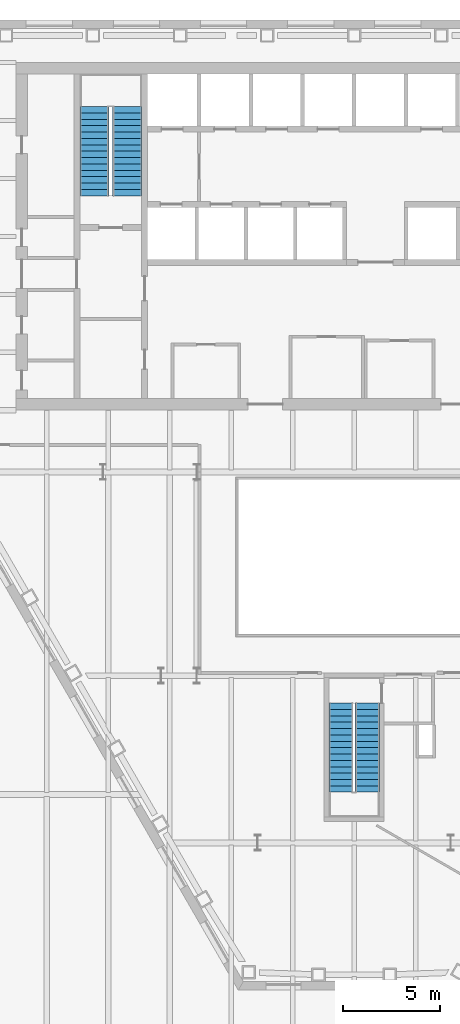
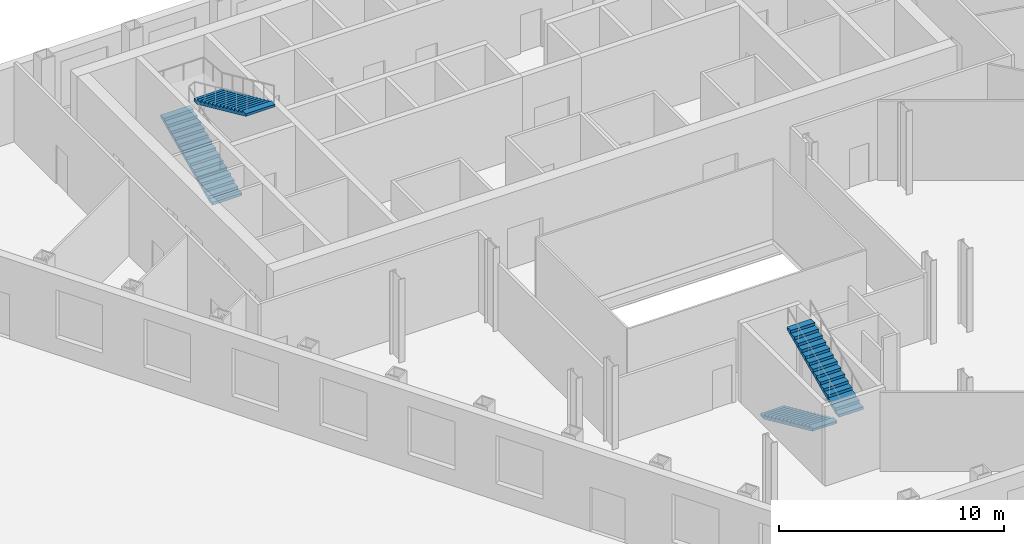
# One storey, part 12 of 14: 4 stair flights, 2 elements without a shape of their own.
"""IFC4 building model written with IfcOpenShell, lengths in metres."""

import ifcopenshell
import ifcopenshell.guid

model = None  # the IFC model being written
_history = None  # IfcOwnerHistory: only IFC2X3 demands one
_inside = {}  # id of a spatial element -> (the spatial element, [elements in it])
_under = {}  # id of a project, library or spatial element -> (it, [spatial elements below it])
_declared = {}  # id of a project -> (the project, [libraries it declares])
_typed = {}  # id of a type object -> (the type object, [elements of that type])
_made_of = {}  # id of a material, layer set ... -> (it, [elements and type objects made of it])


def new_model(schema):
    """Start an empty IFC model of exactly this schema.

    Asked for "IFC4X3", IfcOpenShell would pick the latest addendum, in which some entities
    have other attributes; the version numbers below select the first issue.
    IFC2X3 requires an IfcOwnerHistory on every rooted entity: one is made here for all.
    """
    global model, _history
    if schema == "IFC4X3":
        model = ifcopenshell.file(schema_version=(4, 3, 0, 0))
    else:
        model = ifcopenshell.file(schema=schema)
    _inside.clear()
    _under.clear()
    _declared.clear()
    _typed.clear()
    _made_of.clear()
    _history = None
    if model.schema == "IFC2X3":
        org = make("IfcOrganization", Name="unknown")
        user = make(
            "IfcPersonAndOrganization",
            ThePerson=make("IfcPerson", FamilyName="unknown"),
            TheOrganization=org,
        )
        app = make(
            "IfcApplication",
            ApplicationDeveloper=org,
            Version="unknown",
            ApplicationFullName="unknown",
            ApplicationIdentifier="unknown",
        )
        _history = make(
            "IfcOwnerHistory",
            OwningUser=user,
            OwningApplication=app,
            ChangeAction="ADDED",
            CreationDate=0,
        )
    return model


def make(cls, **values):
    """One entity of the class cls with the attributes given. An attribute that is None is left unset."""
    return model.create_entity(
        cls, **{name: value for name, value in values.items() if value is not None}
    )


def rooted(cls, **values):
    """An entity with a GlobalId (a new one), such as an element, a storey or a relation."""
    return make(cls, GlobalId=ifcopenshell.guid.new(), OwnerHistory=_history, **values)


def si_unit(unit_type, name, prefix=None):
    """IfcSIUnit, for example si_unit("LENGTHUNIT", "METRE", prefix="MILLI")."""
    return make("IfcSIUnit", UnitType=unit_type, Prefix=prefix, Name=name)


def assignment(units):
    """IfcUnitAssignment: the units of a project."""
    return None if units is None else make("IfcUnitAssignment", Units=units)


def point(xyz):
    """IfcCartesianPoint."""
    return None if xyz is None else make("IfcCartesianPoint", Coordinates=xyz)


def direction(xyz):
    """IfcDirection."""
    return None if xyz is None else make("IfcDirection", DirectionRatios=xyz)


def frame(location, z_axis=None, x_axis=None):
    """IfcAxis2Placement3D, a coordinate frame: its origin and axes. An axis left out is left unset."""
    return make(
        "IfcAxis2Placement3D",
        Location=point(location),
        Axis=direction(z_axis),
        RefDirection=direction(x_axis),
    )


def origin():
    """The frame at (0, 0, 0) with its axes left unset."""
    return frame((0.0, 0.0, 0.0))


def place(relative_to, where):
    """IfcLocalPlacement: puts the frame where relative to a parent placement (None: the world)."""
    return make(
        "IfcLocalPlacement", PlacementRelTo=relative_to, RelativePlacement=where
    )


def context(
    kind, dimensions, precision=None, world=None, true_north=None, identifier=None
):
    """IfcGeometricRepresentationContext, for example the 3D "Model" context."""
    return make(
        "IfcGeometricRepresentationContext",
        ContextIdentifier=identifier,
        ContextType=kind,
        CoordinateSpaceDimension=dimensions,
        Precision=precision,
        WorldCoordinateSystem=world,
        TrueNorth=true_north,
    )


def subcontext(parent, identifier, kind, view, scale=None):
    """IfcGeometricRepresentationSubContext, for example "Body" below "Model"."""
    return make(
        "IfcGeometricRepresentationSubContext",
        ContextIdentifier=identifier,
        ContextType=kind,
        ParentContext=parent,
        TargetScale=scale,
        TargetView=view,
    )


def project(units=None, contexts=None):
    """IfcProject with its units and contexts."""
    return rooted(
        "IfcProject",
        Name="project",
        RepresentationContexts=contexts,
        UnitsInContext=assignment(units),
    )


def spatial(cls, under=None, at=None, **own):
    """A site, building, storey or space (cls), placed at a placement, below another one or the project."""
    s = rooted(cls, ObjectPlacement=at, **own)
    if under is not None:
        _under.setdefault(under.id(), (under, []))[1].append(s)
    return s


def point_list(points):
    """IfcCartesianPointList2D or 3D."""
    cls = (
        "IfcCartesianPointList2D" if len(points[0]) == 2 else "IfcCartesianPointList3D"
    )
    return make(cls, CoordList=points)


def polygons(points, faces, closed=None, point_numbers=None):
    """IfcPolygonalFaceSet: a face is its outer loop, then its inner loops; points numbered from 1."""
    made = []
    for loops in faces:
        if len(loops) == 1:
            made.append(make("IfcIndexedPolygonalFace", CoordIndex=loops[0]))
        else:
            made.append(
                make(
                    "IfcIndexedPolygonalFaceWithVoids",
                    CoordIndex=loops[0],
                    InnerCoordIndices=loops[1:],
                )
            )
    return make(
        "IfcPolygonalFaceSet",
        Coordinates=point_list(points),
        Closed=closed,
        Faces=made,
        PnIndex=point_numbers,
    )


def shape(context_of_items, identifier, shape_type, items):
    """IfcShapeRepresentation: the items that make up one representation, for example the "Body"."""
    return make(
        "IfcShapeRepresentation",
        ContextOfItems=context_of_items,
        RepresentationIdentifier=identifier,
        RepresentationType=shape_type,
        Items=items,
    )


def material(Name=None, Category=None):
    """IfcMaterial."""
    return make("IfcMaterial", Name=Name, Category=Category)


def made_of(thing, what):
    """Note that an element or type object is made of a material, layer set ...; save() writes the relation."""
    if what is not None:
        _made_of.setdefault(what.id(), (what, []))[1].append(thing)
    return thing


def type_object(cls, material=None, **own):
    """A type object (cls), such as IfcWallType, which elements share."""
    return made_of(rooted(cls, **own), material)


def element(
    cls,
    number,
    at=None,
    inside=None,
    cuts=None,
    type_object=None,
    material=None,
    context=None,
    identifier="Body",
    shape_type=None,
    held_by="IfcProductDefinitionShape",
    body=None,
    shapes=None,
    **own,
):
    """One element of the class cls, such as IfcWall. Its Tag is "e" and its number.

    at: its placement. inside: the storey or other place that contains it. cuts: it is an
    opening in that element (IfcRelVoidsElement). A single representation is given by context,
    identifier, shape_type and body (its items); several are given by shapes. held_by: the class
    of the entity that holds the representations. save() writes the other relations.
    """
    e = rooted(cls, Tag="e%d" % number, ObjectPlacement=at, **own)
    if body is not None:
        shapes = [shape(context, identifier, shape_type, body)]
    if shapes is not None:
        e.Representation = make(held_by, Representations=shapes)
    if inside is not None:
        _inside.setdefault(inside.id(), (inside, []))[1].append(e)
    if cuts is not None:
        rooted(
            "IfcRelVoidsElement", RelatingBuildingElement=cuts, RelatedOpeningElement=e
        )
    if type_object is not None:
        _typed.setdefault(type_object.id(), (type_object, []))[1].append(e)
    return made_of(e, material)


def aggregate(whole, parts):
    """IfcRelAggregates: a whole, such as a stair, and the parts it consists of."""
    return rooted("IfcRelAggregates", RelatingObject=whole, RelatedObjects=parts)


def save(model, path):
    """Write the relations noted so far, then the file.

    IfcRelAggregates (storeys below a building ...), IfcRelContainedInSpatialStructure (elements
    in a storey), IfcRelDefinesByType, IfcRelAssociatesMaterial and IfcRelDeclares: one each for
    every whole, place, type object, material and project.
    """
    for whole, parts in _under.values():
        aggregate(whole, parts)
    for where, things in _inside.values():
        rooted(
            "IfcRelContainedInSpatialStructure",
            RelatedElements=things,
            RelatingStructure=where,
        )
    for kind, things in _typed.values():
        rooted("IfcRelDefinesByType", RelatedObjects=things, RelatingType=kind)
    for what, things in _made_of.values():
        rooted("IfcRelAssociatesMaterial", RelatedObjects=things, RelatingMaterial=what)
    for by, libraries in _declared.values():
        rooted("IfcRelDeclares", RelatingContext=by, RelatedDefinitions=libraries)
    model.write(path)


model = new_model("IFC4")

# Units and contexts
model_context = context("Model", 3, precision=1e-05, world=origin(), true_north=direction((0.0, 1.0)))
body_context = subcontext(model_context, "Body", "Model", "MODEL_VIEW")
ifc_project = project(units=[si_unit("LENGTHUNIT", "METRE"), si_unit("AREAUNIT", "SQUARE_METRE"), si_unit("VOLUMEUNIT", "CUBIC_METRE"), si_unit("PLANEANGLEUNIT", "RADIAN"), si_unit("MASSUNIT", "GRAM", prefix="KILO")], contexts=[model_context])

# Site, building, storey
site_placement = place(None, origin())
site = spatial("IfcSite", under=ifc_project, at=site_placement, CompositionType="ELEMENT")
building_placement = place(site_placement, origin())
building = spatial("IfcBuilding", under=site, at=building_placement, Name="Njiva Tower", CompositionType="ELEMENT")
storey_placement = place(building_placement, frame((0.0, 0.0, 28.8)))
storey = spatial("IfcBuildingStorey", under=building, at=storey_placement, Name="L05", CompositionType="ELEMENT", Elevation=28.8)

# Stair, stair flights
ifc_material = material(Name="Concrete C40/50", Category="concrete")
stair_type_1 = type_object("IfcStairType", Name="ST1 Exit stair 1250", PredefinedType="HALF_TURN_STAIR", material=ifc_material)
stair_1_placement = place(storey_placement, origin())
stair_1 = element("IfcStair", 1, at=stair_1_placement, inside=storey, type_object=stair_type_1, Name="Stair C", PredefinedType="HALF_TURN_STAIR")
stair_flight_type_1 = type_object("IfcStairFlightType", Name="FL1 Stair flight 1250", PredefinedType="STRAIGHT", material=ifc_material)
stair_flight_1_placement = place(storey_placement, frame((-0.675, -15.16, 0.0), z_axis=(0.0, 0.0, 1.0), x_axis=(0.0, -1.0, 0.0)))
stair_flight_1 = element("IfcStairFlight", 2, at=stair_flight_1_placement, type_object=stair_flight_type_1, Name="ST-C flight 1", NumberOfRisers=15, NumberOfTreads=14, PredefinedType="STRAIGHT", RiserHeight=0.15, TreadLength=0.33, context=body_context, shape_type="Tessellation", body=[
    polygons([(0.0, 0.625, 0.0), (0.0, 0.3125, 0.0), (0.0, 0.0, 0.0), (0.0, -0.3125, 0.0), (0.0, -0.625, 0.0), (0.0, 0.625, 0.15), (0.0, 0.3125, 0.15), (0.0, 0.0, 0.15), (0.0, -0.3125, 0.15), (0.0, -0.625, 0.15), (0.33, 0.625, 0.15), (0.33, 0.3125, 0.15), (0.33, 0.0, 0.15), (0.33, -0.3125, 0.15), (0.33, -0.625, 0.15), (0.33, 0.625, 0.3), (0.33, 0.3125, 0.3), (0.33, 0.0, 0.3), (0.33, -0.3125, 0.3), (0.33, -0.625, 0.3), (0.66, 0.625, 0.3), (0.66, 0.3125, 0.3), (0.66, 0.0, 0.3), (0.66, -0.3125, 0.3), (0.66, -0.625, 0.3), (0.66, 0.625, 0.45), (0.66, 0.3125, 0.45), (0.66, 0.0, 0.45), (0.66, -0.3125, 0.45), (0.66, -0.625, 0.45), (0.99, 0.625, 0.45), (0.99, 0.3125, 0.45), (0.99, 0.0, 0.45), (0.99, -0.3125, 0.45), (0.99, -0.625, 0.45), (0.99, 0.625, 0.6), (0.99, 0.3125, 0.6), (0.99, 0.0, 0.6), (0.99, -0.3125, 0.6), (0.99, -0.625, 0.6), (1.32, 0.625, 0.6), (1.32, 0.3125, 0.6), (1.32, 0.0, 0.6), (1.32, -0.3125, 0.6), (1.32, -0.625, 0.6), (1.32, 0.625, 0.75), (1.32, 0.3125, 0.75), (1.32, 0.0, 0.75), (1.32, -0.3125, 0.75), (1.32, -0.625, 0.75), (1.65, 0.625, 0.75), (1.65, 0.3125, 0.75), (1.65, 0.0, 0.75), (1.65, -0.3125, 0.75), (1.65, -0.625, 0.75), (1.65, 0.625, 0.9), (1.65, 0.3125, 0.9), (1.65, 0.0, 0.9), (1.65, -0.3125, 0.9), (1.65, -0.625, 0.9), (1.98, 0.625, 0.9), (1.98, 0.3125, 0.9), (1.98, 0.0, 0.9), (1.98, -0.3125, 0.9), (1.98, -0.625, 0.9), (1.98, 0.625, 1.05), (1.98, 0.3125, 1.05), (1.98, 0.0, 1.05), (1.98, -0.3125, 1.05), (1.98, -0.625, 1.05), (2.31, 0.625, 1.05), (2.31, 0.3125, 1.05), (2.31, 0.0, 1.05), (2.31, -0.3125, 1.05), (2.31, -0.625, 1.05), (2.31, 0.625, 1.2), (2.31, 0.3125, 1.2), (2.31, 0.0, 1.2), (2.31, -0.3125, 1.2), (2.31, -0.625, 1.2), (2.64, 0.625, 1.2), (2.64, 0.3125, 1.2), (2.64, 0.0, 1.2), (2.64, -0.3125, 1.2), (2.64, -0.625, 1.2), (2.64, 0.625, 1.35), (2.64, 0.3125, 1.35), (2.64, 0.0, 1.35), (2.64, -0.3125, 1.35), (2.64, -0.625, 1.35), (2.97, 0.625, 1.35), (2.97, 0.3125, 1.35), (2.97, 0.0, 1.35), (2.97, -0.3125, 1.35), (2.97, -0.625, 1.35), (2.97, 0.625, 1.5), (2.97, 0.3125, 1.5), (2.97, 0.0, 1.5), (2.97, -0.3125, 1.5), (2.97, -0.625, 1.5), (3.3, 0.625, 1.5), (3.3, 0.3125, 1.5), (3.3, 0.0, 1.5), (3.3, -0.3125, 1.5), (3.3, -0.625, 1.5), (3.3, 0.625, 1.65), (3.3, 0.3125, 1.65), (3.3, 0.0, 1.65), (3.3, -0.3125, 1.65), (3.3, -0.625, 1.65), (3.63, 0.625, 1.65), (3.63, 0.3125, 1.65), (3.63, 0.0, 1.65), (3.63, -0.3125, 1.65), (3.63, -0.625, 1.65), (3.63, 0.625, 1.8), (3.63, 0.3125, 1.8), (3.63, 0.0, 1.8), (3.63, -0.3125, 1.8), (3.63, -0.625, 1.8), (3.96, 0.625, 1.8), (3.96, 0.3125, 1.8), (3.96, 0.0, 1.8), (3.96, -0.3125, 1.8), (3.96, -0.625, 1.8), (3.96, 0.625, 1.95), (3.96, 0.3125, 1.95), (3.96, 0.0, 1.95), (3.96, -0.3125, 1.95), (3.96, -0.625, 1.95), (4.29, 0.625, 1.95), (4.29, 0.3125, 1.95), (4.29, 0.0, 1.95), (4.29, -0.3125, 1.95), (4.29, -0.625, 1.95), (4.29, 0.625, 2.1), (4.29, 0.3125, 2.1), (4.29, 0.0, 2.1), (4.29, -0.3125, 2.1), (4.29, -0.625, 2.1), (4.62, 0.625, 2.1), (4.62, 0.3125, 2.1), (4.62, 0.0, 2.1), (4.62, -0.3125, 2.1), (4.62, -0.625, 2.1), (4.62, 0.625, 1.9682), (4.62, 0.3125, 1.9682), (4.62, 0.0, 1.9682), (4.62, -0.3125, 1.9682), (4.62, -0.625, 1.9682), (0.29, 0.625, 0.0), (0.29, 0.3125, 0.0), (0.29, 0.0, 0.0), (0.29, -0.3125, 0.0), (0.29, -0.625, 0.0)], [[[1, 6, 11, 16, 21, 26, 31, 36, 41, 46, 51, 56, 61, 66, 71, 76, 81, 86, 91, 96, 101, 106, 111, 116, 121, 126, 131, 136, 141, 146, 151]], [[155, 150, 145, 140, 135, 130, 125, 120, 115, 110, 105, 100, 95, 90, 85, 80, 75, 70, 65, 60, 55, 50, 45, 40, 35, 30, 25, 20, 15, 10, 5]], [[6, 1, 2, 7]], [[7, 2, 3, 8]], [[8, 3, 4, 9]], [[9, 4, 5, 10]], [[11, 6, 7, 12]], [[12, 7, 8, 13]], [[13, 8, 9, 14]], [[14, 9, 10, 15]], [[16, 11, 12, 17]], [[17, 12, 13, 18]], [[18, 13, 14, 19]], [[19, 14, 15, 20]], [[21, 16, 17, 22]], [[22, 17, 18, 23]], [[23, 18, 19, 24]], [[24, 19, 20, 25]], [[26, 21, 22, 27]], [[27, 22, 23, 28]], [[28, 23, 24, 29]], [[29, 24, 25, 30]], [[31, 26, 27, 32]], [[32, 27, 28, 33]], [[33, 28, 29, 34]], [[34, 29, 30, 35]], [[36, 31, 32, 37]], [[37, 32, 33, 38]], [[38, 33, 34, 39]], [[39, 34, 35, 40]], [[41, 36, 37, 42]], [[42, 37, 38, 43]], [[43, 38, 39, 44]], [[44, 39, 40, 45]], [[46, 41, 42, 47]], [[47, 42, 43, 48]], [[48, 43, 44, 49]], [[49, 44, 45, 50]], [[51, 46, 47, 52]], [[52, 47, 48, 53]], [[53, 48, 49, 54]], [[54, 49, 50, 55]], [[56, 51, 52, 57]], [[57, 52, 53, 58]], [[58, 53, 54, 59]], [[59, 54, 55, 60]], [[61, 56, 57, 62]], [[62, 57, 58, 63]], [[63, 58, 59, 64]], [[64, 59, 60, 65]], [[66, 61, 62, 67]], [[67, 62, 63, 68]], [[68, 63, 64, 69]], [[69, 64, 65, 70]], [[71, 66, 67, 72]], [[72, 67, 68, 73]], [[73, 68, 69, 74]], [[74, 69, 70, 75]], [[76, 71, 72, 77]], [[77, 72, 73, 78]], [[78, 73, 74, 79]], [[79, 74, 75, 80]], [[81, 76, 77, 82]], [[82, 77, 78, 83]], [[83, 78, 79, 84]], [[84, 79, 80, 85]], [[86, 81, 82, 87]], [[87, 82, 83, 88]], [[88, 83, 84, 89]], [[89, 84, 85, 90]], [[91, 86, 87, 92]], [[92, 87, 88, 93]], [[93, 88, 89, 94]], [[94, 89, 90, 95]], [[96, 91, 92, 97]], [[97, 92, 93, 98]], [[98, 93, 94, 99]], [[99, 94, 95, 100]], [[101, 96, 97, 102]], [[102, 97, 98, 103]], [[103, 98, 99, 104]], [[104, 99, 100, 105]], [[106, 101, 102, 107]], [[107, 102, 103, 108]], [[108, 103, 104, 109]], [[109, 104, 105, 110]], [[111, 106, 107, 112]], [[112, 107, 108, 113]], [[113, 108, 109, 114]], [[114, 109, 110, 115]], [[116, 111, 112, 117]], [[117, 112, 113, 118]], [[118, 113, 114, 119]], [[119, 114, 115, 120]], [[121, 116, 117, 122]], [[122, 117, 118, 123]], [[123, 118, 119, 124]], [[124, 119, 120, 125]], [[126, 121, 122, 127]], [[127, 122, 123, 128]], [[128, 123, 124, 129]], [[129, 124, 125, 130]], [[131, 126, 127, 132]], [[132, 127, 128, 133]], [[133, 128, 129, 134]], [[134, 129, 130, 135]], [[136, 131, 132, 137]], [[137, 132, 133, 138]], [[138, 133, 134, 139]], [[139, 134, 135, 140]], [[141, 136, 137, 142]], [[142, 137, 138, 143]], [[143, 138, 139, 144]], [[144, 139, 140, 145]], [[146, 141, 142, 147]], [[147, 142, 143, 148]], [[148, 143, 144, 149]], [[149, 144, 145, 150]], [[151, 146, 147, 152]], [[152, 147, 148, 153]], [[153, 148, 149, 154]], [[154, 149, 150, 155]], [[1, 151, 152, 2]], [[2, 152, 153, 3]], [[3, 153, 154, 4]], [[4, 154, 155, 5]]], closed=True),
])
stair_flight_2_placement = place(storey_placement, frame((0.675, -19.78, 2.25), z_axis=(0.0, 0.0, 1.0), x_axis=(0.0, 1.0, 0.0)))
stair_flight_2 = element("IfcStairFlight", 3, at=stair_flight_2_placement, type_object=stair_flight_type_1, Name="ST-C flight 2", NumberOfRisers=15, NumberOfTreads=14, PredefinedType="STRAIGHT", RiserHeight=0.15, TreadLength=0.33, context=body_context, shape_type="Tessellation", body=[
    polygons([(0.0, 0.625, 0.0), (0.0, 0.3125, 0.0), (0.0, 0.0, 0.0), (0.0, -0.3125, 0.0), (0.0, -0.625, 0.0), (0.0, 0.625, 0.15), (0.0, 0.3125, 0.15), (0.0, 0.0, 0.15), (0.0, -0.3125, 0.15), (0.0, -0.625, 0.15), (0.33, 0.625, 0.15), (0.33, 0.3125, 0.15), (0.33, 0.0, 0.15), (0.33, -0.3125, 0.15), (0.33, -0.625, 0.15), (0.33, 0.625, 0.3), (0.33, 0.3125, 0.3), (0.33, 0.0, 0.3), (0.33, -0.3125, 0.3), (0.33, -0.625, 0.3), (0.66, 0.625, 0.3), (0.66, 0.3125, 0.3), (0.66, 0.0, 0.3), (0.66, -0.3125, 0.3), (0.66, -0.625, 0.3), (0.66, 0.625, 0.45), (0.66, 0.3125, 0.45), (0.66, 0.0, 0.45), (0.66, -0.3125, 0.45), (0.66, -0.625, 0.45), (0.99, 0.625, 0.45), (0.99, 0.3125, 0.45), (0.99, 0.0, 0.45), (0.99, -0.3125, 0.45), (0.99, -0.625, 0.45), (0.99, 0.625, 0.6), (0.99, 0.3125, 0.6), (0.99, 0.0, 0.6), (0.99, -0.3125, 0.6), (0.99, -0.625, 0.6), (1.32, 0.625, 0.6), (1.32, 0.3125, 0.6), (1.32, 0.0, 0.6), (1.32, -0.3125, 0.6), (1.32, -0.625, 0.6), (1.32, 0.625, 0.75), (1.32, 0.3125, 0.75), (1.32, 0.0, 0.75), (1.32, -0.3125, 0.75), (1.32, -0.625, 0.75), (1.65, 0.625, 0.75), (1.65, 0.3125, 0.75), (1.65, 0.0, 0.75), (1.65, -0.3125, 0.75), (1.65, -0.625, 0.75), (1.65, 0.625, 0.9), (1.65, 0.3125, 0.9), (1.65, 0.0, 0.9), (1.65, -0.3125, 0.9), (1.65, -0.625, 0.9), (1.98, 0.625, 0.9), (1.98, 0.3125, 0.9), (1.98, 0.0, 0.9), (1.98, -0.3125, 0.9), (1.98, -0.625, 0.9), (1.98, 0.625, 1.05), (1.98, 0.3125, 1.05), (1.98, 0.0, 1.05), (1.98, -0.3125, 1.05), (1.98, -0.625, 1.05), (2.31, 0.625, 1.05), (2.31, 0.3125, 1.05), (2.31, 0.0, 1.05), (2.31, -0.3125, 1.05), (2.31, -0.625, 1.05), (2.31, 0.625, 1.2), (2.31, 0.3125, 1.2), (2.31, 0.0, 1.2), (2.31, -0.3125, 1.2), (2.31, -0.625, 1.2), (2.64, 0.625, 1.2), (2.64, 0.3125, 1.2), (2.64, 0.0, 1.2), (2.64, -0.3125, 1.2), (2.64, -0.625, 1.2), (2.64, 0.625, 1.35), (2.64, 0.3125, 1.35), (2.64, 0.0, 1.35), (2.64, -0.3125, 1.35), (2.64, -0.625, 1.35), (2.97, 0.625, 1.35), (2.97, 0.3125, 1.35), (2.97, 0.0, 1.35), (2.97, -0.3125, 1.35), (2.97, -0.625, 1.35), (2.97, 0.625, 1.5), (2.97, 0.3125, 1.5), (2.97, 0.0, 1.5), (2.97, -0.3125, 1.5), (2.97, -0.625, 1.5), (3.3, 0.625, 1.5), (3.3, 0.3125, 1.5), (3.3, 0.0, 1.5), (3.3, -0.3125, 1.5), (3.3, -0.625, 1.5), (3.3, 0.625, 1.65), (3.3, 0.3125, 1.65), (3.3, 0.0, 1.65), (3.3, -0.3125, 1.65), (3.3, -0.625, 1.65), (3.63, 0.625, 1.65), (3.63, 0.3125, 1.65), (3.63, 0.0, 1.65), (3.63, -0.3125, 1.65), (3.63, -0.625, 1.65), (3.63, 0.625, 1.8), (3.63, 0.3125, 1.8), (3.63, 0.0, 1.8), (3.63, -0.3125, 1.8), (3.63, -0.625, 1.8), (3.96, 0.625, 1.8), (3.96, 0.3125, 1.8), (3.96, 0.0, 1.8), (3.96, -0.3125, 1.8), (3.96, -0.625, 1.8), (3.96, 0.625, 1.95), (3.96, 0.3125, 1.95), (3.96, 0.0, 1.95), (3.96, -0.3125, 1.95), (3.96, -0.625, 1.95), (4.29, 0.625, 1.95), (4.29, 0.3125, 1.95), (4.29, 0.0, 1.95), (4.29, -0.3125, 1.95), (4.29, -0.625, 1.95), (4.29, 0.625, 2.1), (4.29, 0.3125, 2.1), (4.29, 0.0, 2.1), (4.29, -0.3125, 2.1), (4.29, -0.625, 2.1), (4.62, 0.625, 2.1), (4.62, 0.3125, 2.1), (4.62, 0.0, 2.1), (4.62, -0.3125, 2.1), (4.62, -0.625, 2.1), (4.62, 0.625, 1.9682), (4.62, 0.3125, 1.9682), (4.62, 0.0, 1.9682), (4.62, -0.3125, 1.9682), (4.62, -0.625, 1.9682), (0.29, 0.625, 0.0), (0.29, 0.3125, 0.0), (0.29, 0.0, 0.0), (0.29, -0.3125, 0.0), (0.29, -0.625, 0.0)], [[[1, 6, 11, 16, 21, 26, 31, 36, 41, 46, 51, 56, 61, 66, 71, 76, 81, 86, 91, 96, 101, 106, 111, 116, 121, 126, 131, 136, 141, 146, 151]], [[155, 150, 145, 140, 135, 130, 125, 120, 115, 110, 105, 100, 95, 90, 85, 80, 75, 70, 65, 60, 55, 50, 45, 40, 35, 30, 25, 20, 15, 10, 5]], [[6, 1, 2, 7]], [[7, 2, 3, 8]], [[8, 3, 4, 9]], [[9, 4, 5, 10]], [[11, 6, 7, 12]], [[12, 7, 8, 13]], [[13, 8, 9, 14]], [[14, 9, 10, 15]], [[16, 11, 12, 17]], [[17, 12, 13, 18]], [[18, 13, 14, 19]], [[19, 14, 15, 20]], [[21, 16, 17, 22]], [[22, 17, 18, 23]], [[23, 18, 19, 24]], [[24, 19, 20, 25]], [[26, 21, 22, 27]], [[27, 22, 23, 28]], [[28, 23, 24, 29]], [[29, 24, 25, 30]], [[31, 26, 27, 32]], [[32, 27, 28, 33]], [[33, 28, 29, 34]], [[34, 29, 30, 35]], [[36, 31, 32, 37]], [[37, 32, 33, 38]], [[38, 33, 34, 39]], [[39, 34, 35, 40]], [[41, 36, 37, 42]], [[42, 37, 38, 43]], [[43, 38, 39, 44]], [[44, 39, 40, 45]], [[46, 41, 42, 47]], [[47, 42, 43, 48]], [[48, 43, 44, 49]], [[49, 44, 45, 50]], [[51, 46, 47, 52]], [[52, 47, 48, 53]], [[53, 48, 49, 54]], [[54, 49, 50, 55]], [[56, 51, 52, 57]], [[57, 52, 53, 58]], [[58, 53, 54, 59]], [[59, 54, 55, 60]], [[61, 56, 57, 62]], [[62, 57, 58, 63]], [[63, 58, 59, 64]], [[64, 59, 60, 65]], [[66, 61, 62, 67]], [[67, 62, 63, 68]], [[68, 63, 64, 69]], [[69, 64, 65, 70]], [[71, 66, 67, 72]], [[72, 67, 68, 73]], [[73, 68, 69, 74]], [[74, 69, 70, 75]], [[76, 71, 72, 77]], [[77, 72, 73, 78]], [[78, 73, 74, 79]], [[79, 74, 75, 80]], [[81, 76, 77, 82]], [[82, 77, 78, 83]], [[83, 78, 79, 84]], [[84, 79, 80, 85]], [[86, 81, 82, 87]], [[87, 82, 83, 88]], [[88, 83, 84, 89]], [[89, 84, 85, 90]], [[91, 86, 87, 92]], [[92, 87, 88, 93]], [[93, 88, 89, 94]], [[94, 89, 90, 95]], [[96, 91, 92, 97]], [[97, 92, 93, 98]], [[98, 93, 94, 99]], [[99, 94, 95, 100]], [[101, 96, 97, 102]], [[102, 97, 98, 103]], [[103, 98, 99, 104]], [[104, 99, 100, 105]], [[106, 101, 102, 107]], [[107, 102, 103, 108]], [[108, 103, 104, 109]], [[109, 104, 105, 110]], [[111, 106, 107, 112]], [[112, 107, 108, 113]], [[113, 108, 109, 114]], [[114, 109, 110, 115]], [[116, 111, 112, 117]], [[117, 112, 113, 118]], [[118, 113, 114, 119]], [[119, 114, 115, 120]], [[121, 116, 117, 122]], [[122, 117, 118, 123]], [[123, 118, 119, 124]], [[124, 119, 120, 125]], [[126, 121, 122, 127]], [[127, 122, 123, 128]], [[128, 123, 124, 129]], [[129, 124, 125, 130]], [[131, 126, 127, 132]], [[132, 127, 128, 133]], [[133, 128, 129, 134]], [[134, 129, 130, 135]], [[136, 131, 132, 137]], [[137, 132, 133, 138]], [[138, 133, 134, 139]], [[139, 134, 135, 140]], [[141, 136, 137, 142]], [[142, 137, 138, 143]], [[143, 138, 139, 144]], [[144, 139, 140, 145]], [[146, 141, 142, 147]], [[147, 142, 143, 148]], [[148, 143, 144, 149]], [[149, 144, 145, 150]], [[151, 146, 147, 152]], [[152, 147, 148, 153]], [[153, 148, 149, 154]], [[154, 149, 150, 155]], [[1, 151, 152, 2]], [[2, 152, 153, 3]], [[3, 153, 154, 4]], [[4, 154, 155, 5]]], closed=True),
])
aggregate(stair_1, [stair_flight_1, stair_flight_2])

stair_type_2 = type_object("IfcStairType", Name="ST4 Exit stair 1500", PredefinedType="HALF_TURN_STAIR", material=ifc_material)
stair_2_placement = place(storey_placement, origin())
stair_2 = element("IfcStair", 4, at=stair_2_placement, inside=storey, type_object=stair_type_2, Name="Stair A", PredefinedType="HALF_TURN_STAIR")
stair_flight_type_2 = type_object("IfcStairFlightType", Name="FL4 Stair flight 1500", PredefinedType="STRAIGHT", material=ifc_material)
stair_flight_3_placement = place(storey_placement, frame((-13.45, 11.1, 0.0), z_axis=(0.0, 0.0, 1.0), x_axis=(0.0, 1.0, 0.0)))
stair_flight_3 = element("IfcStairFlight", 5, at=stair_flight_3_placement, type_object=stair_flight_type_2, Name="ST-A flight 1", NumberOfRisers=15, NumberOfTreads=14, PredefinedType="STRAIGHT", RiserHeight=0.15, TreadLength=0.33, context=body_context, shape_type="Tessellation", body=[
    polygons([(0.0, 0.75, 0.0), (0.0, 0.375, 0.0), (0.0, 0.0, 0.0), (0.0, -0.375, 0.0), (0.0, -0.75, 0.0), (0.0, 0.75, 0.15), (0.0, 0.375, 0.15), (0.0, 0.0, 0.15), (0.0, -0.375, 0.15), (0.0, -0.75, 0.15), (0.33, 0.75, 0.15), (0.33, 0.375, 0.15), (0.33, 0.0, 0.15), (0.33, -0.375, 0.15), (0.33, -0.75, 0.15), (0.33, 0.75, 0.3), (0.33, 0.375, 0.3), (0.33, 0.0, 0.3), (0.33, -0.375, 0.3), (0.33, -0.75, 0.3), (0.66, 0.75, 0.3), (0.66, 0.375, 0.3), (0.66, 0.0, 0.3), (0.66, -0.375, 0.3), (0.66, -0.75, 0.3), (0.66, 0.75, 0.45), (0.66, 0.375, 0.45), (0.66, 0.0, 0.45), (0.66, -0.375, 0.45), (0.66, -0.75, 0.45), (0.99, 0.75, 0.45), (0.99, 0.375, 0.45), (0.99, 0.0, 0.45), (0.99, -0.375, 0.45), (0.99, -0.75, 0.45), (0.99, 0.75, 0.6), (0.99, 0.375, 0.6), (0.99, 0.0, 0.6), (0.99, -0.375, 0.6), (0.99, -0.75, 0.6), (1.32, 0.75, 0.6), (1.32, 0.375, 0.6), (1.32, 0.0, 0.6), (1.32, -0.375, 0.6), (1.32, -0.75, 0.6), (1.32, 0.75, 0.75), (1.32, 0.375, 0.75), (1.32, 0.0, 0.75), (1.32, -0.375, 0.75), (1.32, -0.75, 0.75), (1.65, 0.75, 0.75), (1.65, 0.375, 0.75), (1.65, 0.0, 0.75), (1.65, -0.375, 0.75), (1.65, -0.75, 0.75), (1.65, 0.75, 0.9), (1.65, 0.375, 0.9), (1.65, 0.0, 0.9), (1.65, -0.375, 0.9), (1.65, -0.75, 0.9), (1.98, 0.75, 0.9), (1.98, 0.375, 0.9), (1.98, 0.0, 0.9), (1.98, -0.375, 0.9), (1.98, -0.75, 0.9), (1.98, 0.75, 1.05), (1.98, 0.375, 1.05), (1.98, 0.0, 1.05), (1.98, -0.375, 1.05), (1.98, -0.75, 1.05), (2.31, 0.75, 1.05), (2.31, 0.375, 1.05), (2.31, 0.0, 1.05), (2.31, -0.375, 1.05), (2.31, -0.75, 1.05), (2.31, 0.75, 1.2), (2.31, 0.375, 1.2), (2.31, 0.0, 1.2), (2.31, -0.375, 1.2), (2.31, -0.75, 1.2), (2.64, 0.75, 1.2), (2.64, 0.375, 1.2), (2.64, 0.0, 1.2), (2.64, -0.375, 1.2), (2.64, -0.75, 1.2), (2.64, 0.75, 1.35), (2.64, 0.375, 1.35), (2.64, 0.0, 1.35), (2.64, -0.375, 1.35), (2.64, -0.75, 1.35), (2.97, 0.75, 1.35), (2.97, 0.375, 1.35), (2.97, 0.0, 1.35), (2.97, -0.375, 1.35), (2.97, -0.75, 1.35), (2.97, 0.75, 1.5), (2.97, 0.375, 1.5), (2.97, 0.0, 1.5), (2.97, -0.375, 1.5), (2.97, -0.75, 1.5), (3.3, 0.75, 1.5), (3.3, 0.375, 1.5), (3.3, 0.0, 1.5), (3.3, -0.375, 1.5), (3.3, -0.75, 1.5), (3.3, 0.75, 1.65), (3.3, 0.375, 1.65), (3.3, 0.0, 1.65), (3.3, -0.375, 1.65), (3.3, -0.75, 1.65), (3.63, 0.75, 1.65), (3.63, 0.375, 1.65), (3.63, 0.0, 1.65), (3.63, -0.375, 1.65), (3.63, -0.75, 1.65), (3.63, 0.75, 1.8), (3.63, 0.375, 1.8), (3.63, 0.0, 1.8), (3.63, -0.375, 1.8), (3.63, -0.75, 1.8), (3.96, 0.75, 1.8), (3.96, 0.375, 1.8), (3.96, 0.0, 1.8), (3.96, -0.375, 1.8), (3.96, -0.75, 1.8), (3.96, 0.75, 1.95), (3.96, 0.375, 1.95), (3.96, 0.0, 1.95), (3.96, -0.375, 1.95), (3.96, -0.75, 1.95), (4.29, 0.75, 1.95), (4.29, 0.375, 1.95), (4.29, 0.0, 1.95), (4.29, -0.375, 1.95), (4.29, -0.75, 1.95), (4.29, 0.75, 2.1), (4.29, 0.375, 2.1), (4.29, 0.0, 2.1), (4.29, -0.375, 2.1), (4.29, -0.75, 2.1), (4.62, 0.75, 2.1), (4.62, 0.375, 2.1), (4.62, 0.0, 2.1), (4.62, -0.375, 2.1), (4.62, -0.75, 2.1), (4.62, 0.75, 1.9682), (4.62, 0.375, 1.9682), (4.62, 0.0, 1.9682), (4.62, -0.375, 1.9682), (4.62, -0.75, 1.9682), (0.29, 0.75, 0.0), (0.29, 0.375, 0.0), (0.29, 0.0, 0.0), (0.29, -0.375, 0.0), (0.29, -0.75, 0.0)], [[[1, 6, 11, 16, 21, 26, 31, 36, 41, 46, 51, 56, 61, 66, 71, 76, 81, 86, 91, 96, 101, 106, 111, 116, 121, 126, 131, 136, 141, 146, 151]], [[155, 150, 145, 140, 135, 130, 125, 120, 115, 110, 105, 100, 95, 90, 85, 80, 75, 70, 65, 60, 55, 50, 45, 40, 35, 30, 25, 20, 15, 10, 5]], [[6, 1, 2, 7]], [[7, 2, 3, 8]], [[8, 3, 4, 9]], [[9, 4, 5, 10]], [[11, 6, 7, 12]], [[12, 7, 8, 13]], [[13, 8, 9, 14]], [[14, 9, 10, 15]], [[16, 11, 12, 17]], [[17, 12, 13, 18]], [[18, 13, 14, 19]], [[19, 14, 15, 20]], [[21, 16, 17, 22]], [[22, 17, 18, 23]], [[23, 18, 19, 24]], [[24, 19, 20, 25]], [[26, 21, 22, 27]], [[27, 22, 23, 28]], [[28, 23, 24, 29]], [[29, 24, 25, 30]], [[31, 26, 27, 32]], [[32, 27, 28, 33]], [[33, 28, 29, 34]], [[34, 29, 30, 35]], [[36, 31, 32, 37]], [[37, 32, 33, 38]], [[38, 33, 34, 39]], [[39, 34, 35, 40]], [[41, 36, 37, 42]], [[42, 37, 38, 43]], [[43, 38, 39, 44]], [[44, 39, 40, 45]], [[46, 41, 42, 47]], [[47, 42, 43, 48]], [[48, 43, 44, 49]], [[49, 44, 45, 50]], [[51, 46, 47, 52]], [[52, 47, 48, 53]], [[53, 48, 49, 54]], [[54, 49, 50, 55]], [[56, 51, 52, 57]], [[57, 52, 53, 58]], [[58, 53, 54, 59]], [[59, 54, 55, 60]], [[61, 56, 57, 62]], [[62, 57, 58, 63]], [[63, 58, 59, 64]], [[64, 59, 60, 65]], [[66, 61, 62, 67]], [[67, 62, 63, 68]], [[68, 63, 64, 69]], [[69, 64, 65, 70]], [[71, 66, 67, 72]], [[72, 67, 68, 73]], [[73, 68, 69, 74]], [[74, 69, 70, 75]], [[76, 71, 72, 77]], [[77, 72, 73, 78]], [[78, 73, 74, 79]], [[79, 74, 75, 80]], [[81, 76, 77, 82]], [[82, 77, 78, 83]], [[83, 78, 79, 84]], [[84, 79, 80, 85]], [[86, 81, 82, 87]], [[87, 82, 83, 88]], [[88, 83, 84, 89]], [[89, 84, 85, 90]], [[91, 86, 87, 92]], [[92, 87, 88, 93]], [[93, 88, 89, 94]], [[94, 89, 90, 95]], [[96, 91, 92, 97]], [[97, 92, 93, 98]], [[98, 93, 94, 99]], [[99, 94, 95, 100]], [[101, 96, 97, 102]], [[102, 97, 98, 103]], [[103, 98, 99, 104]], [[104, 99, 100, 105]], [[106, 101, 102, 107]], [[107, 102, 103, 108]], [[108, 103, 104, 109]], [[109, 104, 105, 110]], [[111, 106, 107, 112]], [[112, 107, 108, 113]], [[113, 108, 109, 114]], [[114, 109, 110, 115]], [[116, 111, 112, 117]], [[117, 112, 113, 118]], [[118, 113, 114, 119]], [[119, 114, 115, 120]], [[121, 116, 117, 122]], [[122, 117, 118, 123]], [[123, 118, 119, 124]], [[124, 119, 120, 125]], [[126, 121, 122, 127]], [[127, 122, 123, 128]], [[128, 123, 124, 129]], [[129, 124, 125, 130]], [[131, 126, 127, 132]], [[132, 127, 128, 133]], [[133, 128, 129, 134]], [[134, 129, 130, 135]], [[136, 131, 132, 137]], [[137, 132, 133, 138]], [[138, 133, 134, 139]], [[139, 134, 135, 140]], [[141, 136, 137, 142]], [[142, 137, 138, 143]], [[143, 138, 139, 144]], [[144, 139, 140, 145]], [[146, 141, 142, 147]], [[147, 142, 143, 148]], [[148, 143, 144, 149]], [[149, 144, 145, 150]], [[151, 146, 147, 152]], [[152, 147, 148, 153]], [[153, 148, 149, 154]], [[154, 149, 150, 155]], [[1, 151, 152, 2]], [[2, 152, 153, 3]], [[3, 153, 154, 4]], [[4, 154, 155, 5]]], closed=True),
])
stair_flight_4_placement = place(storey_placement, frame((-11.75, 15.72, 2.25), z_axis=(0.0, 0.0, 1.0), x_axis=(0.0, -1.0, 0.0)))
stair_flight_4 = element("IfcStairFlight", 6, at=stair_flight_4_placement, type_object=stair_flight_type_2, Name="ST-A flight 2", NumberOfRisers=15, NumberOfTreads=14, PredefinedType="STRAIGHT", RiserHeight=0.15, TreadLength=0.33, context=body_context, shape_type="Tessellation", body=[
    polygons([(0.0, 0.75, 0.0), (0.0, 0.375, 0.0), (0.0, 0.0, 0.0), (0.0, -0.375, 0.0), (0.0, -0.75, 0.0), (0.0, 0.75, 0.15), (0.0, 0.375, 0.15), (0.0, 0.0, 0.15), (0.0, -0.375, 0.15), (0.0, -0.75, 0.15), (0.33, 0.75, 0.15), (0.33, 0.375, 0.15), (0.33, 0.0, 0.15), (0.33, -0.375, 0.15), (0.33, -0.75, 0.15), (0.33, 0.75, 0.3), (0.33, 0.375, 0.3), (0.33, 0.0, 0.3), (0.33, -0.375, 0.3), (0.33, -0.75, 0.3), (0.66, 0.75, 0.3), (0.66, 0.375, 0.3), (0.66, 0.0, 0.3), (0.66, -0.375, 0.3), (0.66, -0.75, 0.3), (0.66, 0.75, 0.45), (0.66, 0.375, 0.45), (0.66, 0.0, 0.45), (0.66, -0.375, 0.45), (0.66, -0.75, 0.45), (0.99, 0.75, 0.45), (0.99, 0.375, 0.45), (0.99, 0.0, 0.45), (0.99, -0.375, 0.45), (0.99, -0.75, 0.45), (0.99, 0.75, 0.6), (0.99, 0.375, 0.6), (0.99, 0.0, 0.6), (0.99, -0.375, 0.6), (0.99, -0.75, 0.6), (1.32, 0.75, 0.6), (1.32, 0.375, 0.6), (1.32, 0.0, 0.6), (1.32, -0.375, 0.6), (1.32, -0.75, 0.6), (1.32, 0.75, 0.75), (1.32, 0.375, 0.75), (1.32, 0.0, 0.75), (1.32, -0.375, 0.75), (1.32, -0.75, 0.75), (1.65, 0.75, 0.75), (1.65, 0.375, 0.75), (1.65, 0.0, 0.75), (1.65, -0.375, 0.75), (1.65, -0.75, 0.75), (1.65, 0.75, 0.9), (1.65, 0.375, 0.9), (1.65, 0.0, 0.9), (1.65, -0.375, 0.9), (1.65, -0.75, 0.9), (1.98, 0.75, 0.9), (1.98, 0.375, 0.9), (1.98, 0.0, 0.9), (1.98, -0.375, 0.9), (1.98, -0.75, 0.9), (1.98, 0.75, 1.05), (1.98, 0.375, 1.05), (1.98, 0.0, 1.05), (1.98, -0.375, 1.05), (1.98, -0.75, 1.05), (2.31, 0.75, 1.05), (2.31, 0.375, 1.05), (2.31, 0.0, 1.05), (2.31, -0.375, 1.05), (2.31, -0.75, 1.05), (2.31, 0.75, 1.2), (2.31, 0.375, 1.2), (2.31, 0.0, 1.2), (2.31, -0.375, 1.2), (2.31, -0.75, 1.2), (2.64, 0.75, 1.2), (2.64, 0.375, 1.2), (2.64, 0.0, 1.2), (2.64, -0.375, 1.2), (2.64, -0.75, 1.2), (2.64, 0.75, 1.35), (2.64, 0.375, 1.35), (2.64, 0.0, 1.35), (2.64, -0.375, 1.35), (2.64, -0.75, 1.35), (2.97, 0.75, 1.35), (2.97, 0.375, 1.35), (2.97, 0.0, 1.35), (2.97, -0.375, 1.35), (2.97, -0.75, 1.35), (2.97, 0.75, 1.5), (2.97, 0.375, 1.5), (2.97, 0.0, 1.5), (2.97, -0.375, 1.5), (2.97, -0.75, 1.5), (3.3, 0.75, 1.5), (3.3, 0.375, 1.5), (3.3, 0.0, 1.5), (3.3, -0.375, 1.5), (3.3, -0.75, 1.5), (3.3, 0.75, 1.65), (3.3, 0.375, 1.65), (3.3, 0.0, 1.65), (3.3, -0.375, 1.65), (3.3, -0.75, 1.65), (3.63, 0.75, 1.65), (3.63, 0.375, 1.65), (3.63, 0.0, 1.65), (3.63, -0.375, 1.65), (3.63, -0.75, 1.65), (3.63, 0.75, 1.8), (3.63, 0.375, 1.8), (3.63, 0.0, 1.8), (3.63, -0.375, 1.8), (3.63, -0.75, 1.8), (3.96, 0.75, 1.8), (3.96, 0.375, 1.8), (3.96, 0.0, 1.8), (3.96, -0.375, 1.8), (3.96, -0.75, 1.8), (3.96, 0.75, 1.95), (3.96, 0.375, 1.95), (3.96, 0.0, 1.95), (3.96, -0.375, 1.95), (3.96, -0.75, 1.95), (4.29, 0.75, 1.95), (4.29, 0.375, 1.95), (4.29, 0.0, 1.95), (4.29, -0.375, 1.95), (4.29, -0.75, 1.95), (4.29, 0.75, 2.1), (4.29, 0.375, 2.1), (4.29, 0.0, 2.1), (4.29, -0.375, 2.1), (4.29, -0.75, 2.1), (4.62, 0.75, 2.1), (4.62, 0.375, 2.1), (4.62, 0.0, 2.1), (4.62, -0.375, 2.1), (4.62, -0.75, 2.1), (4.62, 0.75, 1.9682), (4.62, 0.375, 1.9682), (4.62, 0.0, 1.9682), (4.62, -0.375, 1.9682), (4.62, -0.75, 1.9682), (0.29, 0.75, 0.0), (0.29, 0.375, 0.0), (0.29, 0.0, 0.0), (0.29, -0.375, 0.0), (0.29, -0.75, 0.0)], [[[1, 6, 11, 16, 21, 26, 31, 36, 41, 46, 51, 56, 61, 66, 71, 76, 81, 86, 91, 96, 101, 106, 111, 116, 121, 126, 131, 136, 141, 146, 151]], [[155, 150, 145, 140, 135, 130, 125, 120, 115, 110, 105, 100, 95, 90, 85, 80, 75, 70, 65, 60, 55, 50, 45, 40, 35, 30, 25, 20, 15, 10, 5]], [[6, 1, 2, 7]], [[7, 2, 3, 8]], [[8, 3, 4, 9]], [[9, 4, 5, 10]], [[11, 6, 7, 12]], [[12, 7, 8, 13]], [[13, 8, 9, 14]], [[14, 9, 10, 15]], [[16, 11, 12, 17]], [[17, 12, 13, 18]], [[18, 13, 14, 19]], [[19, 14, 15, 20]], [[21, 16, 17, 22]], [[22, 17, 18, 23]], [[23, 18, 19, 24]], [[24, 19, 20, 25]], [[26, 21, 22, 27]], [[27, 22, 23, 28]], [[28, 23, 24, 29]], [[29, 24, 25, 30]], [[31, 26, 27, 32]], [[32, 27, 28, 33]], [[33, 28, 29, 34]], [[34, 29, 30, 35]], [[36, 31, 32, 37]], [[37, 32, 33, 38]], [[38, 33, 34, 39]], [[39, 34, 35, 40]], [[41, 36, 37, 42]], [[42, 37, 38, 43]], [[43, 38, 39, 44]], [[44, 39, 40, 45]], [[46, 41, 42, 47]], [[47, 42, 43, 48]], [[48, 43, 44, 49]], [[49, 44, 45, 50]], [[51, 46, 47, 52]], [[52, 47, 48, 53]], [[53, 48, 49, 54]], [[54, 49, 50, 55]], [[56, 51, 52, 57]], [[57, 52, 53, 58]], [[58, 53, 54, 59]], [[59, 54, 55, 60]], [[61, 56, 57, 62]], [[62, 57, 58, 63]], [[63, 58, 59, 64]], [[64, 59, 60, 65]], [[66, 61, 62, 67]], [[67, 62, 63, 68]], [[68, 63, 64, 69]], [[69, 64, 65, 70]], [[71, 66, 67, 72]], [[72, 67, 68, 73]], [[73, 68, 69, 74]], [[74, 69, 70, 75]], [[76, 71, 72, 77]], [[77, 72, 73, 78]], [[78, 73, 74, 79]], [[79, 74, 75, 80]], [[81, 76, 77, 82]], [[82, 77, 78, 83]], [[83, 78, 79, 84]], [[84, 79, 80, 85]], [[86, 81, 82, 87]], [[87, 82, 83, 88]], [[88, 83, 84, 89]], [[89, 84, 85, 90]], [[91, 86, 87, 92]], [[92, 87, 88, 93]], [[93, 88, 89, 94]], [[94, 89, 90, 95]], [[96, 91, 92, 97]], [[97, 92, 93, 98]], [[98, 93, 94, 99]], [[99, 94, 95, 100]], [[101, 96, 97, 102]], [[102, 97, 98, 103]], [[103, 98, 99, 104]], [[104, 99, 100, 105]], [[106, 101, 102, 107]], [[107, 102, 103, 108]], [[108, 103, 104, 109]], [[109, 104, 105, 110]], [[111, 106, 107, 112]], [[112, 107, 108, 113]], [[113, 108, 109, 114]], [[114, 109, 110, 115]], [[116, 111, 112, 117]], [[117, 112, 113, 118]], [[118, 113, 114, 119]], [[119, 114, 115, 120]], [[121, 116, 117, 122]], [[122, 117, 118, 123]], [[123, 118, 119, 124]], [[124, 119, 120, 125]], [[126, 121, 122, 127]], [[127, 122, 123, 128]], [[128, 123, 124, 129]], [[129, 124, 125, 130]], [[131, 126, 127, 132]], [[132, 127, 128, 133]], [[133, 128, 129, 134]], [[134, 129, 130, 135]], [[136, 131, 132, 137]], [[137, 132, 133, 138]], [[138, 133, 134, 139]], [[139, 134, 135, 140]], [[141, 136, 137, 142]], [[142, 137, 138, 143]], [[143, 138, 139, 144]], [[144, 139, 140, 145]], [[146, 141, 142, 147]], [[147, 142, 143, 148]], [[148, 143, 144, 149]], [[149, 144, 145, 150]], [[151, 146, 147, 152]], [[152, 147, 148, 153]], [[153, 148, 149, 154]], [[154, 149, 150, 155]], [[1, 151, 152, 2]], [[2, 152, 153, 3]], [[3, 153, 154, 4]], [[4, 154, 155, 5]]], closed=True),
])
aggregate(stair_2, [stair_flight_3, stair_flight_4])

save(model, "model.ifc")
